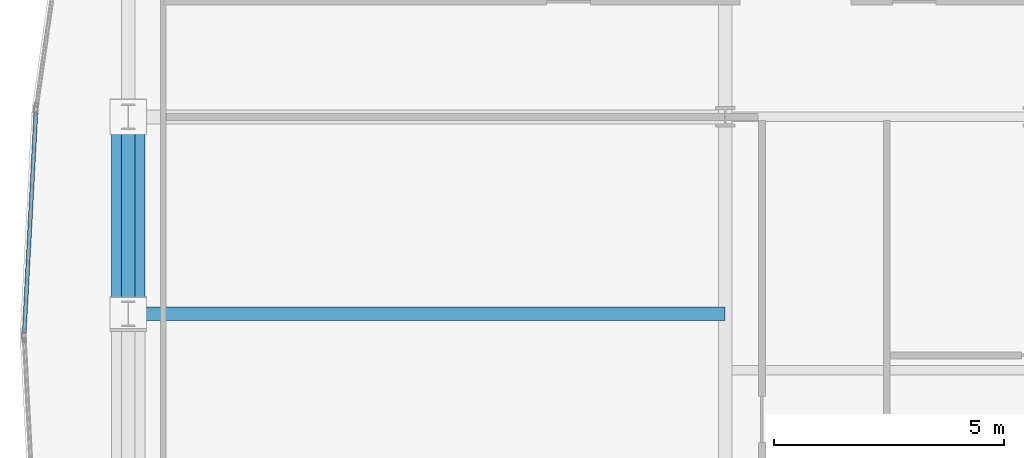
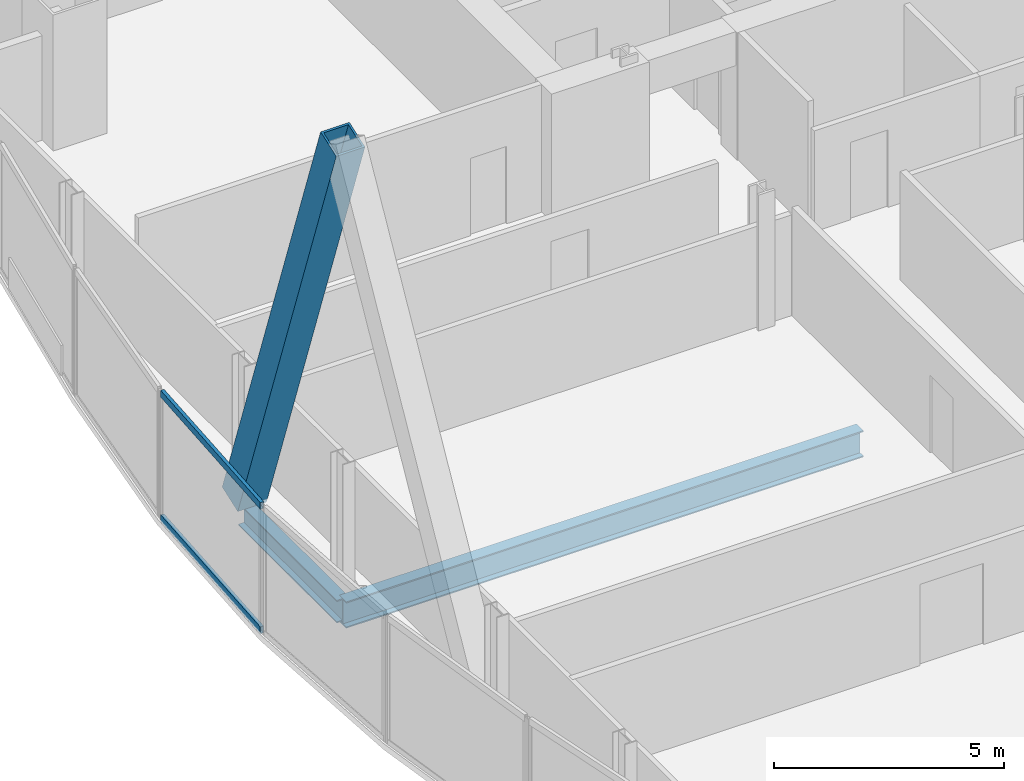
# One storey, part 11 of 31: 3 members, 2 beams, 1 element without a shape of its own.
"""IFC4 building model written with IfcOpenShell, lengths in metres."""

from ifc_helpers import new_model, si_unit, direction, frame, origin, origin_2d, place, context, subcontext, project, spatial, hollow_rectangle, i_section, extrude, material, material_profile, profile_set, type_object, element, aggregate, save


model = new_model("IFC4")

# Units and contexts
model_context = context("Model", 3, precision=1e-05, world=origin(), true_north=direction((0.0, 1.0)))
body_context = subcontext(model_context, "Body", "Model", "MODEL_VIEW")
ifc_project = project(units=[si_unit("LENGTHUNIT", "METRE"), si_unit("AREAUNIT", "SQUARE_METRE"), si_unit("VOLUMEUNIT", "CUBIC_METRE"), si_unit("PLANEANGLEUNIT", "RADIAN"), si_unit("MASSUNIT", "GRAM", prefix="KILO")], contexts=[model_context])

# Site, building, storey
site_placement = place(None, origin())
site = spatial("IfcSite", under=ifc_project, at=site_placement, CompositionType="ELEMENT")
building_placement = place(site_placement, origin())
building = spatial("IfcBuilding", under=site, at=building_placement, Name="Khoronbel Lancet Exchange", CompositionType="ELEMENT")
storey_placement = place(building_placement, frame((0.0, 0.0, 168.60009765625)))
storey = spatial("IfcBuildingStorey", under=building, at=storey_placement, Name="L42", CompositionType="ELEMENT", Elevation=168.60009765625)

# Beams
ifc_material_1 = material(Name="Steel S355", Category="steel")
ifc_material_profile_1 = material_profile(ifc_material_1, i_section(OverallWidth=0.300048828125, OverallDepth=0.699951171875, WebThickness=0.01708984375, FlangeThickness=0.031982421875, at=origin_2d()), Name="HEB 700")
ifc_profile_set_1 = profile_set([ifc_material_profile_1], Name="Steel S355")
beam_type_1 = type_object("IfcBeamType", Name="BM-BG3", PredefinedType="BEAM", material=ifc_profile_set_1)
beam_1_placement = place(storey_placement, frame((5.27001953125, 31.425048828125, -0.510009765625), z_axis=(1.0, 0.0, 0.0), x_axis=(0.0, 1.0, 0.0)))
element("IfcBeam", 1, at=beam_1_placement, inside=storey, type_object=beam_type_1, Name="Level L42 west lens tie girder LG2W", PredefinedType="BEAM", context=body_context, shape_type="SweptSolid", body=[
    extrude(i_section(OverallWidth=0.300048828125, OverallDepth=0.699951171875, WebThickness=0.01708984375, FlangeThickness=0.031982421875, at=origin_2d()), origin(), (0.0, 0.0, 1.0), 12.955078125),
])
ifc_material_profile_2 = material_profile(ifc_material_1, i_section(OverallWidth=0.300048828125, OverallDepth=0.60009765625, WebThickness=0.015380859375, FlangeThickness=0.030029296875, at=origin_2d()), Name="HEB 600")
ifc_profile_set_2 = profile_set([ifc_material_profile_2], Name="Steel S355")
beam_type_2 = type_object("IfcBeamType", Name="BM-BSP2", PredefinedType="SPANDREL", material=ifc_profile_set_2)
beam_2_placement = place(storey_placement, frame((5.27001953125, 35.699951171875, -0.460205078125), z_axis=(0.0, -1.0, 0.0), x_axis=(1.0, 0.0, 0.0)))
element("IfcBeam", 2, at=beam_2_placement, inside=storey, type_object=beam_type_2, Name="Level L42 perimeter spandrel beam SP18", PredefinedType="SPANDREL", context=body_context, shape_type="SweptSolid", body=[
    extrude(i_section(OverallWidth=0.300048828125, OverallDepth=0.60009765625, WebThickness=0.015380859375, FlangeThickness=0.030029296875, at=origin_2d()), origin(), (0.0, 0.0, 1.0), 4.27490234375),
])

# Curtain wall, members
ifc_material_2 = material(Name="Low-E Solar Control Insulating Glass", Category="glass")
curtain_wall_type = type_object("IfcCurtainWallType", Name="CW-4", PredefinedType="NOTDEFINED", material=ifc_material_2)
curtain_wall_placement = place(storey_placement, origin())
curtain_wall = element("IfcCurtainWall", 3, at=curtain_wall_placement, inside=storey, type_object=curtain_wall_type, Name="Unitised curtain wall CW-L42-E07", PredefinedType="NOTDEFINED")
ifc_material_3 = material(Name="Bronze-Anodised Aluminium 6063-T6", Category="aluminium")
ifc_material_profile_3 = material_profile(ifc_material_3, hollow_rectangle(XDim=0.0849609375, YDim=0.179931640625, WallThickness=0.0048828125, at=origin_2d()), Name="ALU TRANSOM 85x180")
ifc_profile_set_3 = profile_set([ifc_material_profile_3], Name="Bronze-Anodised Aluminium 6063-T6")
member_type_1 = type_object("IfcMemberType", Name="MEM-CWT1", PredefinedType="USERDEFINED", material=ifc_profile_set_3)
member_1_placement = place(storey_placement, frame((3.013671875, 31.02490234375, 0.04248046875), z_axis=(0.052521181464, 0.998619810287, 0.0), x_axis=(-0.998619810287, 0.052521181464, 0.0)))
member_1 = element("IfcMember", 4, at=member_1_placement, type_object=member_type_1, Name="CW4 transom 1.1", ObjectType="TRANSOM", PredefinedType="USERDEFINED", context=body_context, shape_type="SweptSolid", body=[
    extrude(hollow_rectangle(XDim=0.0849609375, YDim=0.179931640625, WallThickness=0.0048828125, at=origin_2d()), origin(), (0.0, 0.0, 1.0), 4.7646484375),
])
member_2_placement = place(storey_placement, frame((3.013671875, 31.02490234375, 3.33740234375), z_axis=(0.052521181464, 0.998619810287, 0.0), x_axis=(-0.998619810287, 0.052521181464, 0.0)))
member_2 = element("IfcMember", 5, at=member_2_placement, type_object=member_type_1, Name="CW4 transom 1.2", ObjectType="TRANSOM", PredefinedType="USERDEFINED", context=body_context, shape_type="SweptSolid", body=[
    extrude(hollow_rectangle(XDim=0.0849609375, YDim=0.179931640625, WallThickness=0.0048828125, at=origin_2d()), origin(), (0.0, 0.0, 1.0), 4.7646484375),
])
aggregate(curtain_wall, [member_1, member_2])

# Member
ifc_material_4 = material(Name="Steel S460", Category="steel")
ifc_material_profile_4 = material_profile(ifc_material_4, hollow_rectangle(XDim=0.719970703125, YDim=0.719970703125, WallThickness=0.050048828125, at=origin_2d()), Name="BOX 720x720x50")
ifc_profile_set_4 = profile_set([ifc_material_profile_4], Name="Steel S460")
member_type_2 = type_object("IfcMemberType", Name="MEM-MB2", PredefinedType="BRACE", material=ifc_profile_set_4)
member_3_placement = place(storey_placement, frame((5.27001953125, 35.699951171875, 0.0), z_axis=(0.0, -0.335583554792, 0.94201044461), x_axis=(1.0, 0.0, 0.0)))
element("IfcMember", 6, at=member_3_placement, inside=storey, type_object=member_type_2, Name="Perimeter lancet brace tier 14 W-P-R", PredefinedType="BRACE", context=body_context, shape_type="SweptSolid", body=[
    extrude(hollow_rectangle(XDim=0.719970703125, YDim=0.719970703125, WallThickness=0.050048828125, at=origin_2d()), origin(), (0.0, 0.0, 1.0), 12.73876953125),
])

save(model, "model.ifc")
